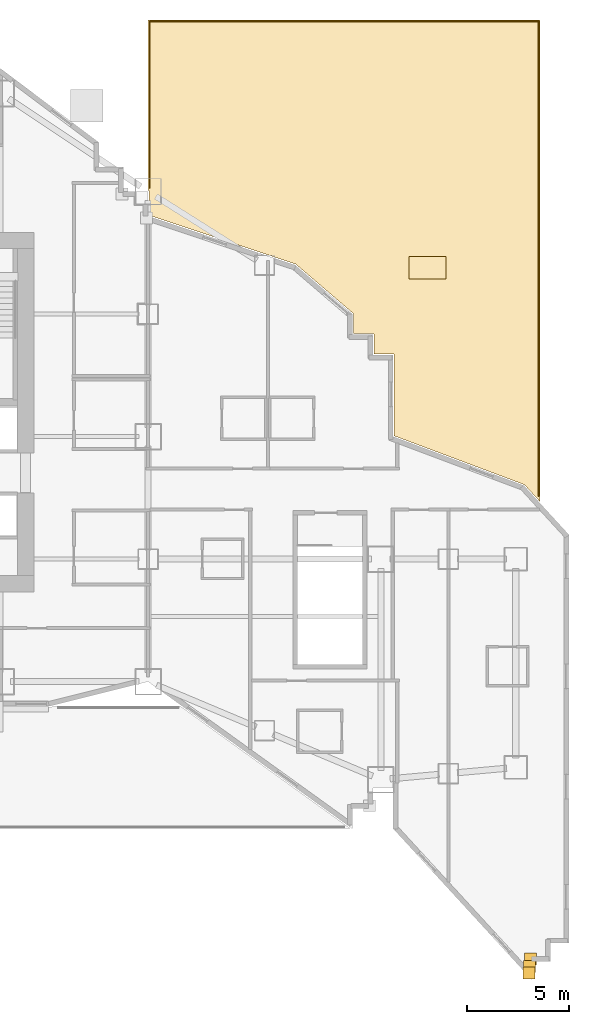
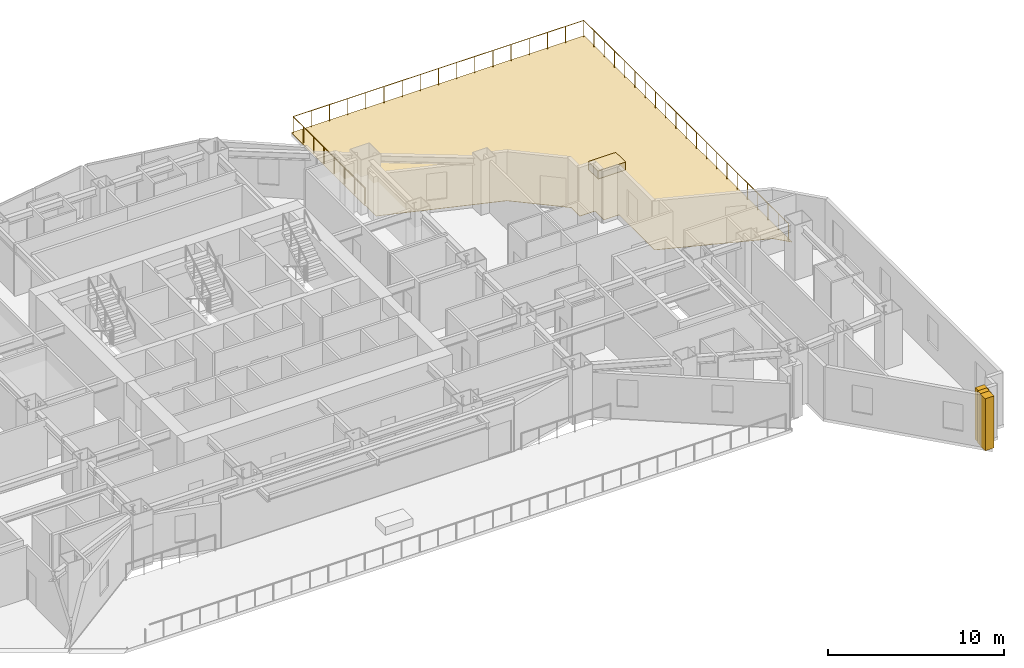
# One storey, part 20 of 20: 5 coverings, 1 railing.
"""IFC4 building model written with IfcOpenShell, lengths in metres."""

from ifc_helpers import new_model, si_unit, direction, frame, origin, origin_2d, place, context, subcontext, project, spatial, polyline, rectangle, circle, outline, extrude, material, layer, layer_set, type_object, element, save


model = new_model("IFC4")

# Units and contexts
model_context = context("Model", 3, precision=1e-05, world=origin(), true_north=direction((0.0, 1.0)))
body_context = subcontext(model_context, "Body", "Model", "MODEL_VIEW")
ifc_project = project(units=[si_unit("LENGTHUNIT", "METRE"), si_unit("AREAUNIT", "SQUARE_METRE"), si_unit("VOLUMEUNIT", "CUBIC_METRE"), si_unit("PLANEANGLEUNIT", "RADIAN"), si_unit("MASSUNIT", "GRAM", prefix="KILO")], contexts=[model_context])

# Site, building, storey
site_placement = place(None, origin())
site = spatial("IfcSite", under=ifc_project, at=site_placement, CompositionType="ELEMENT")
building_placement = place(site_placement, origin())
building = spatial("IfcBuilding", under=site, at=building_placement, Name="Haolan Belvedere Tower", CompositionType="ELEMENT")
storey_placement = place(building_placement, frame((0.0, 0.0, 24.0)))
storey = spatial("IfcBuildingStorey", under=building, at=storey_placement, Name="L05", CompositionType="ELEMENT", Elevation=24.0)

# Coverings
ifc_material_1 = material(Name="Pale champagne-silver anodised aluminium rainscreen cladding", Category="aluminium")
ifc_layer_1 = layer(ifc_material_1, 0.034912109375, Name="Pale champagne-silver anodised aluminium rainscreen cladding")
ifc_layer_set_1 = layer_set([ifc_layer_1], Name="Pale champagne-silver anodised aluminium rainscreen cladding")
covering_type_1 = type_object("IfcCoveringType", Name="COV-CLAD-35", PredefinedType="CLADDING", material=ifc_layer_set_1)
for number, where, z_axis, x_axis, name in (
    (1, (71.451416015625, 7.32958984375, 0.0), (0.0, 0.0, 1.0), (1.0, 0.0, 0.0), "L05 pale-metal serrated corner cladding trim 6"),
    (2, (71.47998046875, 7.654052734375, 0.0), (0.0, 0.0, 1.0), (1.0, 0.0, 0.0), "L05 pale-metal serrated corner cladding trim 7"),
    (3, (71.5224609375, 8.010009765625, 0.0), (0.0, 0.0, 1.0), (1.0, 0.0, 0.0), "L05 pale-metal serrated corner cladding trim 8"),
):
    element("IfcCovering", number, at=place(storey_placement, frame(where, z_axis=z_axis, x_axis=x_axis)), inside=storey, type_object=covering_type_1, Name=name, PredefinedType="CLADDING", context=body_context, shape_type="SweptSolid", body=[
        extrude(rectangle(XDim=0.580078125, YDim=0.580078125, at=origin_2d()), origin(), (0.0, 0.0, 1.0), 3.60009765625),
    ])
ifc_material_2 = material(Name="Engineered lightweight planted garden soil substrate", Category="masonry")
ifc_layer_2 = layer(ifc_material_2, 0.550048828125, Name="Engineered lightweight planted garden soil substrate")
ifc_layer_set_2 = layer_set([ifc_layer_2], Name="Engineered lightweight planted garden soil substrate")
covering_type_2 = type_object("IfcCoveringType", Name="COV-PLANT-550", PredefinedType="MEMBRANE", material=ifc_layer_set_2)
covering_1_placement = place(storey_placement, frame((66.480224609375, 41.863525390625, 0.0), z_axis=(0.0, 0.0, 1.0), x_axis=(1.0, 0.0, 0.0)))
element("IfcCovering", 4, at=covering_1_placement, inside=storey, type_object=covering_type_2, Name="L05 cascade garden terrace PLANTER bed 3", PredefinedType="MEMBRANE", context=body_context, shape_type="SweptSolid", body=[
    extrude(rectangle(XDim=1.800048828125, YDim=1.10009765625, at=origin_2d()), origin(), (0.0, 0.0, 1.0), 0.550048828125),
])
ifc_material_3 = material(Name="Elastomeric waterproof roofing membrane and stone pavers", Category="masonry")
ifc_layer_3 = layer(ifc_material_3, 0.02001953125, Name="Elastomeric waterproof roofing membrane and stone pavers")
ifc_layer_set_3 = layer_set([ifc_layer_3], Name="Elastomeric waterproof roofing membrane and stone pavers")
covering_type_3 = type_object("IfcCoveringType", Name="COV-ROOF-20", PredefinedType="ROOFING", material=ifc_layer_set_3)
covering_2_placement = place(storey_placement, frame((0.0, 0.0, -0.02001953125)))
element("IfcCovering", 5, at=covering_2_placement, inside=storey, type_object=covering_type_3, Name="L05 garden terrace waterproof roofing paver 3", PredefinedType="ROOFING", context=body_context, shape_type="SweptSolid", body=[
    extrude(outline(polyline([(52.800048828125, 54.0), (52.800048828125, 45.64990234375), (52.801513671875, 45.64990234375), (52.807373046875, 45.6494140625), (52.81201171875, 45.6484375), (52.81689453125, 45.64697265625), (52.8212890625, 45.64501953125), (52.82568359375, 45.642822265625), (52.82958984375, 45.64013671875), (52.83349609375, 45.636962890625), (52.8369140625, 45.633544921875), (52.840087890625, 45.629638671875), (52.8427734375, 45.62548828125), (52.84521484375, 45.621337890625), (52.846923828125, 45.61669921875), (52.848388671875, 45.612060546875), (52.849365234375, 45.607421875), (52.849853515625, 45.601318359375), (52.85009765625, 45.59814453125), (52.85009765625, 44.43603515625), (60.01416015625, 42.048095703125), (60.01708984375, 42.046875), (60.0224609375, 42.04443359375), (60.026611328125, 42.042236328125), (60.031494140625, 42.038818359375), (60.033935546875, 42.036865234375), (62.831298828125, 39.63916015625), (62.83349609375, 39.636962890625), (62.837646484375, 39.6328125), (62.840576171875, 39.629150390625), (62.843017578125, 39.625), (62.84521484375, 39.620849609375), (62.84716796875, 39.616455078125), (62.848388671875, 39.61181640625), (62.849365234375, 39.607177734375), (62.849853515625, 39.601318359375), (62.85009765625, 39.59814453125), (62.85009765625, 38.64990234375), (63.798095703125, 38.64990234375), (63.801513671875, 38.64990234375), (63.807373046875, 38.6494140625), (63.81201171875, 38.6484375), (63.81689453125, 38.64697265625), (63.8212890625, 38.64501953125), (63.82568359375, 38.642822265625), (63.82958984375, 38.64013671875), (63.83349609375, 38.636962890625), (63.8369140625, 38.633544921875), (63.840087890625, 38.629638671875), (63.8427734375, 38.62548828125), (63.84521484375, 38.621337890625), (63.846923828125, 38.61669921875), (63.848388671875, 38.612060546875), (63.849365234375, 38.607421875), (63.849853515625, 38.601318359375), (63.85009765625, 38.59814453125), (63.85009765625, 37.64990234375), (64.798095703125, 37.64990234375), (64.801513671875, 37.64990234375), (64.807373046875, 37.6494140625), (64.81201171875, 37.6484375), (64.81689453125, 37.64697265625), (64.8212890625, 37.64501953125), (64.82568359375, 37.642822265625), (64.82958984375, 37.64013671875), (64.83349609375, 37.636962890625), (64.8369140625, 37.633544921875), (64.840087890625, 37.629638671875), (64.8427734375, 37.62548828125), (64.84521484375, 37.621337890625), (64.846923828125, 37.61669921875), (64.848388671875, 37.612060546875), (64.849365234375, 37.607421875), (64.849853515625, 37.601318359375), (64.85009765625, 37.59814453125), (64.85009765625, 33.634765625), (71.2158203125, 31.247314453125), (71.21875, 31.246337890625), (71.223876953125, 31.243896484375), (71.227783203125, 31.2412109375), (71.231689453125, 31.238525390625), (71.23583984375, 31.234619140625), (71.238037109375, 31.232421875), (72.0, 30.4013671875), (72.0, 54.0), (52.800048828125, 54.0)])), origin(), (0.0, 0.0, 1.0), 0.02001953125),
])

# Railing
ifc_material_4 = material(Name="Anodised aluminium and laminated glass balustrade", Category="aluminium")
railing_type = type_object("IfcRailingType", Name="RL-TER-BAL-1150", PredefinedType="BALUSTRADE", material=ifc_material_4)
railing_placement = place(storey_placement, frame((52.8798828125, 45.780029296875, 0.0)))
element("IfcRailing", 6, at=railing_placement, inside=storey, type_object=railing_type, Name="L05 outdoor perimeter balustrade TERR-L05-3-1", PredefinedType="BALUSTRADE", context=body_context, shape_type="SweptSolid", body=[
    extrude(circle(Radius=0.02392578125, at=origin_2d()), frame((0.0, 0.0, 1.1259765625), z_axis=(0.0, 1.0, 0.0), x_axis=(-1.0, 0.0, 0.0)), (0.0, 0.0, 1.0), 8.139892578125),
    extrude(circle(Radius=0.02392578125, at=origin_2d()), frame((0.0, 8.139892578125, 1.1259765625), z_axis=(1.0, 0.0, 0.0), x_axis=(0.0, 1.0, 0.0)), (0.0, 0.0, 1.0), 19.0400390625),
    extrude(circle(Radius=0.02392578125, at=origin_2d()), frame((19.0400390625, 8.139892578125, 1.1259765625), z_axis=(0.0, -1.0, 0.0), x_axis=(1.0, 0.0, 0.0)), (0.0, 0.0, 1.0), 23.239013671875),
    extrude(circle(Radius=0.02099609375, at=origin_2d()), origin(), (0.0, 0.0, 1.0), 1.101806640625),
    extrude(circle(Radius=0.02099609375, at=origin_2d()), frame((0.0, 1.162841796875, 0.0)), (0.0, 0.0, 1.0), 1.101806640625),
    extrude(circle(Radius=0.02099609375, at=origin_2d()), frame((0.0, 2.32568359375, 0.0)), (0.0, 0.0, 1.0), 1.101806640625),
    extrude(circle(Radius=0.02099609375, at=origin_2d()), frame((0.0, 3.488525390625, 0.0)), (0.0, 0.0, 1.0), 1.101806640625),
    extrude(circle(Radius=0.02099609375, at=origin_2d()), frame((0.0, 4.6513671875, 0.0)), (0.0, 0.0, 1.0), 1.101806640625),
    extrude(circle(Radius=0.02099609375, at=origin_2d()), frame((0.0, 5.814208984375, 0.0)), (0.0, 0.0, 1.0), 1.101806640625),
    extrude(circle(Radius=0.02099609375, at=origin_2d()), frame((0.0, 6.97705078125, 0.0)), (0.0, 0.0, 1.0), 1.101806640625),
    extrude(circle(Radius=0.02099609375, at=origin_2d()), frame((0.0, 8.139892578125, 0.0)), (0.0, 0.0, 1.0), 1.101806640625),
    extrude(circle(Radius=0.02099609375, at=origin_2d()), frame((1.18994140625, 8.139892578125, 0.0)), (0.0, 0.0, 1.0), 1.101806640625),
    extrude(circle(Radius=0.02099609375, at=origin_2d()), frame((2.3798828125, 8.139892578125, 0.0)), (0.0, 0.0, 1.0), 1.101806640625),
    extrude(circle(Radius=0.02099609375, at=origin_2d()), frame((3.570068359375, 8.139892578125, 0.0)), (0.0, 0.0, 1.0), 1.101806640625),
    extrude(circle(Radius=0.02099609375, at=origin_2d()), frame((4.760009765625, 8.139892578125, 0.0)), (0.0, 0.0, 1.0), 1.101806640625),
    extrude(circle(Radius=0.02099609375, at=origin_2d()), frame((5.949951171875, 8.139892578125, 0.0)), (0.0, 0.0, 1.0), 1.101806640625),
    extrude(circle(Radius=0.02099609375, at=origin_2d()), frame((7.14013671875, 8.139892578125, 0.0)), (0.0, 0.0, 1.0), 1.101806640625),
    extrude(circle(Radius=0.02099609375, at=origin_2d()), frame((8.330078125, 8.139892578125, 0.0)), (0.0, 0.0, 1.0), 1.101806640625),
    extrude(circle(Radius=0.02099609375, at=origin_2d()), frame((9.52001953125, 8.139892578125, 0.0)), (0.0, 0.0, 1.0), 1.101806640625),
    extrude(circle(Radius=0.02099609375, at=origin_2d()), frame((10.7099609375, 8.139892578125, 0.0)), (0.0, 0.0, 1.0), 1.101806640625),
    extrude(circle(Radius=0.02099609375, at=origin_2d()), frame((11.89990234375, 8.139892578125, 0.0)), (0.0, 0.0, 1.0), 1.101806640625),
    extrude(circle(Radius=0.02099609375, at=origin_2d()), frame((13.090087890625, 8.139892578125, 0.0)), (0.0, 0.0, 1.0), 1.101806640625),
    extrude(circle(Radius=0.02099609375, at=origin_2d()), frame((14.280029296875, 8.139892578125, 0.0)), (0.0, 0.0, 1.0), 1.101806640625),
    extrude(circle(Radius=0.02099609375, at=origin_2d()), frame((15.469970703125, 8.139892578125, 0.0)), (0.0, 0.0, 1.0), 1.101806640625),
    extrude(circle(Radius=0.02099609375, at=origin_2d()), frame((16.66015625, 8.139892578125, 0.0)), (0.0, 0.0, 1.0), 1.101806640625),
    extrude(circle(Radius=0.02099609375, at=origin_2d()), frame((17.85009765625, 8.139892578125, 0.0)), (0.0, 0.0, 1.0), 1.101806640625),
    extrude(circle(Radius=0.02099609375, at=origin_2d()), frame((19.0400390625, 8.139892578125, 0.0)), (0.0, 0.0, 1.0), 1.101806640625),
    extrude(circle(Radius=0.02099609375, at=origin_2d()), frame((19.0400390625, 6.97802734375, 0.0)), (0.0, 0.0, 1.0), 1.101806640625),
    extrude(circle(Radius=0.02099609375, at=origin_2d()), frame((19.0400390625, 5.81591796875, 0.0)), (0.0, 0.0, 1.0), 1.101806640625),
    extrude(circle(Radius=0.02099609375, at=origin_2d()), frame((19.0400390625, 4.654052734375, 0.0)), (0.0, 0.0, 1.0), 1.101806640625),
    extrude(circle(Radius=0.02099609375, at=origin_2d()), frame((19.0400390625, 3.4921875, 0.0)), (0.0, 0.0, 1.0), 1.101806640625),
    extrude(circle(Radius=0.02099609375, at=origin_2d()), frame((19.0400390625, 2.330078125, 0.0)), (0.0, 0.0, 1.0), 1.101806640625),
    extrude(circle(Radius=0.02099609375, at=origin_2d()), frame((19.0400390625, 1.168212890625, 0.0)), (0.0, 0.0, 1.0), 1.101806640625),
    extrude(circle(Radius=0.02099609375, at=origin_2d()), frame((19.0400390625, 0.00634765625, 0.0)), (0.0, 0.0, 1.0), 1.101806640625),
    extrude(circle(Radius=0.02099609375, at=origin_2d()), frame((19.0400390625, -1.15576171875, 0.0)), (0.0, 0.0, 1.0), 1.101806640625),
    extrude(circle(Radius=0.02099609375, at=origin_2d()), frame((19.0400390625, -2.317626953125, 0.0)), (0.0, 0.0, 1.0), 1.101806640625),
    extrude(circle(Radius=0.02099609375, at=origin_2d()), frame((19.0400390625, -3.4794921875, 0.0)), (0.0, 0.0, 1.0), 1.101806640625),
    extrude(circle(Radius=0.02099609375, at=origin_2d()), frame((19.0400390625, -4.6416015625, 0.0)), (0.0, 0.0, 1.0), 1.101806640625),
    extrude(circle(Radius=0.02099609375, at=origin_2d()), frame((19.0400390625, -5.803466796875, 0.0)), (0.0, 0.0, 1.0), 1.101806640625),
    extrude(circle(Radius=0.02099609375, at=origin_2d()), frame((19.0400390625, -6.965576171875, 0.0)), (0.0, 0.0, 1.0), 1.101806640625),
    extrude(circle(Radius=0.02099609375, at=origin_2d()), frame((19.0400390625, -8.12744140625, 0.0)), (0.0, 0.0, 1.0), 1.101806640625),
    extrude(circle(Radius=0.02099609375, at=origin_2d()), frame((19.0400390625, -9.289306640625, 0.0)), (0.0, 0.0, 1.0), 1.101806640625),
    extrude(circle(Radius=0.02099609375, at=origin_2d()), frame((19.0400390625, -10.451416015625, 0.0)), (0.0, 0.0, 1.0), 1.101806640625),
    extrude(circle(Radius=0.02099609375, at=origin_2d()), frame((19.0400390625, -11.61328125, 0.0)), (0.0, 0.0, 1.0), 1.101806640625),
    extrude(circle(Radius=0.02099609375, at=origin_2d()), frame((19.0400390625, -12.775146484375, 0.0)), (0.0, 0.0, 1.0), 1.101806640625),
    extrude(circle(Radius=0.02099609375, at=origin_2d()), frame((19.0400390625, -13.937255859375, 0.0)), (0.0, 0.0, 1.0), 1.101806640625),
    extrude(circle(Radius=0.02099609375, at=origin_2d()), frame((19.0400390625, -15.09912109375, 0.0)), (0.0, 0.0, 1.0), 1.101806640625),
])

save(model, "model.ifc")
